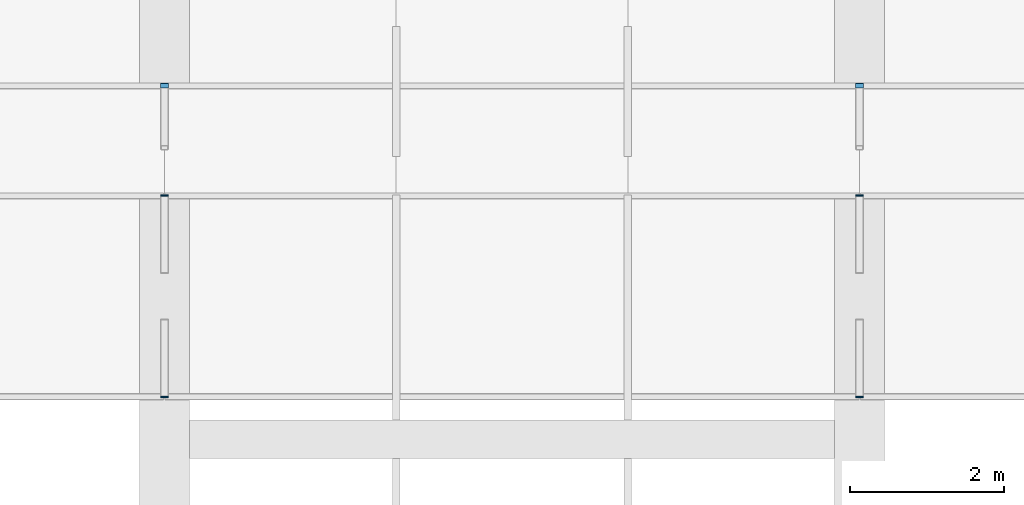
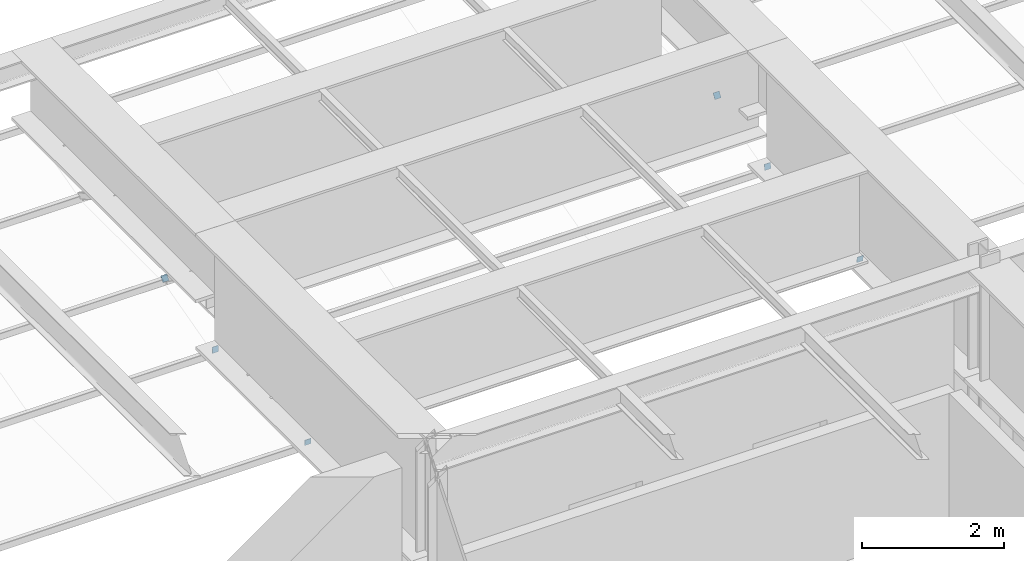
# One storey, part 123 of 153: 6 discrete accessories.
"""IFC4 building model written with IfcOpenShell, lengths in metres."""

from ifc_helpers import new_model, si_unit, direction, frame, origin, origin_2d, place, context, subcontext, project, spatial, rectangle, extrude, material, material_profile, profile_set, type_object, element, save


model = new_model("IFC4")

# Units and contexts
model_context = context("Model", 3, precision=1e-05, world=origin(), true_north=direction((0.0, 1.0)))
body_context = subcontext(model_context, "Body", "Model", "MODEL_VIEW")
ifc_project = project(units=[si_unit("LENGTHUNIT", "METRE"), si_unit("AREAUNIT", "SQUARE_METRE"), si_unit("VOLUMEUNIT", "CUBIC_METRE"), si_unit("PLANEANGLEUNIT", "RADIAN"), si_unit("MASSUNIT", "GRAM", prefix="KILO")], contexts=[model_context])

# Site, building, storey
site_placement = place(None, origin())
site = spatial("IfcSite", under=ifc_project, at=site_placement, CompositionType="ELEMENT")
building_placement = place(site_placement, origin())
building = spatial("IfcBuilding", under=site, at=building_placement, Name="Kallimachos Central Library", CompositionType="ELEMENT")
storey_placement = place(building_placement, frame((0.0, 0.0, 5.39990234375)))
storey = spatial("IfcBuildingStorey", under=building, at=storey_placement, Name="L01", CompositionType="ELEMENT", Elevation=5.39990234375)

# Discrete accessories
ifc_material = material(Name="Steel S355J2", Category="steel")
ifc_material_profile = material_profile(ifc_material, rectangle(XDim=0.10009765625, YDim=0.10009765625, at=origin_2d()), Name="End cap plate 10, 100x100")
ifc_profile_set = profile_set([ifc_material_profile], Name="Steel S355J2")
discrete_accessory_type = type_object("IfcDiscreteAccessoryType", Name="End cap plate 10, 100x100", PredefinedType="BRACKET", material=ifc_profile_set)
for number, where, z_axis, x_axis, name in (
    (1, (74.5, 118.033203125, 2.5478515625), (0.0, -0.816967863265, 0.576683197599), (1.0, 0.0, 0.0), "End cap plate"),
    (2, (83.5, 118.033203125, 2.5478515625), (0.0, -0.816967863265, 0.576683197599), (1.0, 0.0, 0.0), "End cap plate"),
):
    element("IfcDiscreteAccessory", number, at=place(storey_placement, frame(where, z_axis=z_axis, x_axis=x_axis)), inside=storey, type_object=discrete_accessory_type, Name=name, PredefinedType="BRACKET", context=body_context, shape_type="SweptSolid", body=[
        extrude(rectangle(XDim=0.10009765625, YDim=0.10009765625, at=origin_2d()), origin(), (0.0, 0.0, 1.0), 0.01025390625),
    ])
for number, where, z_axis, x_axis, name in (
    (3, (74.5, 116.60986328125, 2.189453125), (0.0, -0.992277876714, 0.124034734589), (1.0, 0.0, 0.0), "End cap plate"),
    (4, (83.5, 116.60986328125, 2.189453125), (0.0, -0.992277876714, 0.124034734589), (1.0, 0.0, 0.0), "End cap plate"),
):
    element("IfcDiscreteAccessory", number, at=place(storey_placement, frame(where, z_axis=z_axis, x_axis=x_axis)), inside=storey, type_object=discrete_accessory_type, Name=name, PredefinedType="BRACKET", context=body_context, shape_type="SweptSolid", body=[
        extrude(rectangle(XDim=0.10009765625, YDim=0.10009765625, at=origin_2d()), origin(), (0.0, 0.0, 1.0), 0.009765625),
    ])
for number, where, z_axis, x_axis, name in (
    (5, (74.5, 113.989990234375, 2.178466796875), (0.0, 0.992645877551, 0.121054375311), (-1.0, 0.0, 0.0), "End cap plate"),
    (6, (83.5, 113.989990234375, 2.178466796875), (0.0, 0.992645877551, 0.121054375311), (-1.0, 0.0, 0.0), "End cap plate"),
):
    element("IfcDiscreteAccessory", number, at=place(storey_placement, frame(where, z_axis=z_axis, x_axis=x_axis)), inside=storey, type_object=discrete_accessory_type, Name=name, PredefinedType="BRACKET", context=body_context, shape_type="SweptSolid", body=[
        extrude(rectangle(XDim=0.10009765625, YDim=0.10009765625, at=origin_2d()), origin(), (0.0, 0.0, 1.0), 0.010009765625),
    ])

save(model, "model.ifc")
